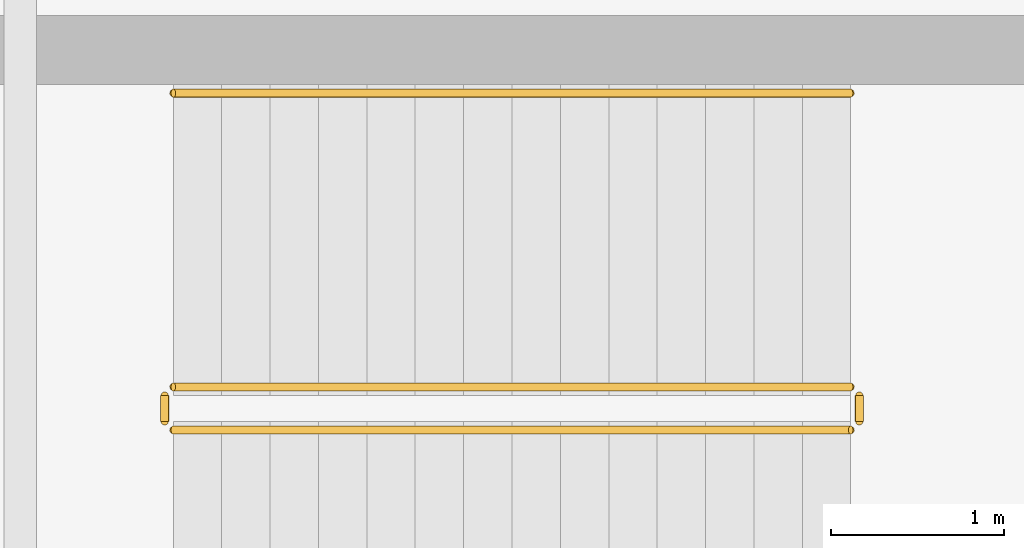
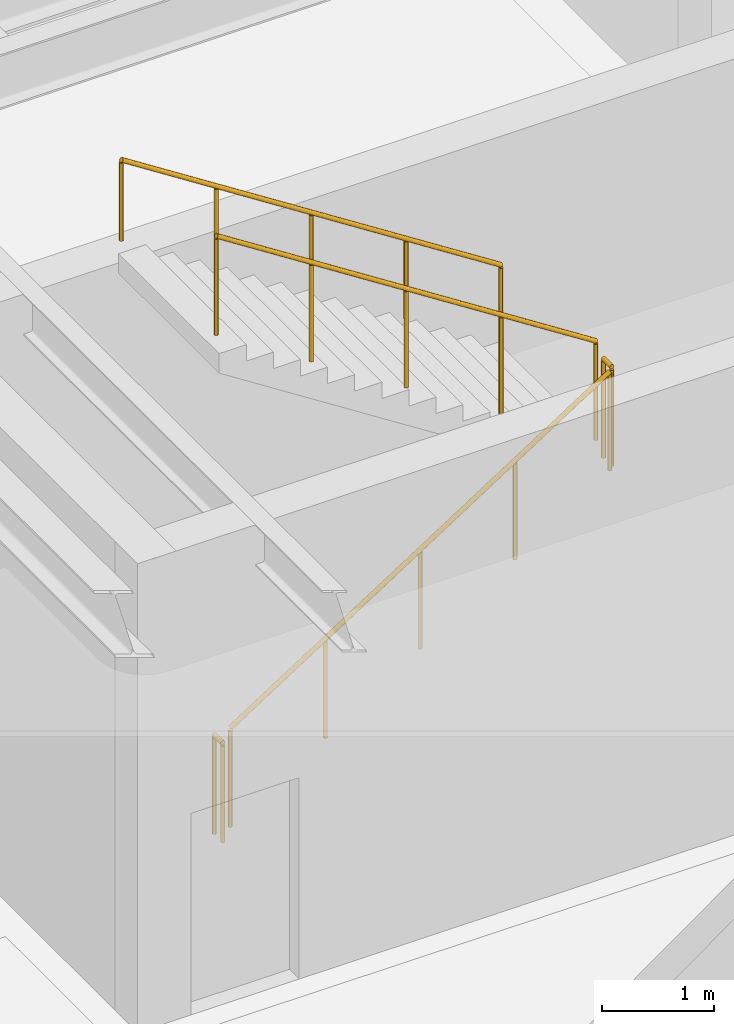
# One storey, part 52 of 67: 5 railings.
"""IFC4 building model written with IfcOpenShell, lengths in metres."""

from ifc_helpers import new_model, si_unit, direction, frame, origin, origin_2d, place, context, subcontext, project, spatial, circle, extrude, material, type_object, element, save


model = new_model("IFC4")

# Units and contexts
model_context = context("Model", 3, precision=1e-05, world=origin(), true_north=direction((0.0, 1.0)))
body_context = subcontext(model_context, "Body", "Model", "MODEL_VIEW")
ifc_project = project(units=[si_unit("LENGTHUNIT", "METRE"), si_unit("AREAUNIT", "SQUARE_METRE"), si_unit("VOLUMEUNIT", "CUBIC_METRE"), si_unit("PLANEANGLEUNIT", "RADIAN"), si_unit("MASSUNIT", "GRAM", prefix="KILO")], contexts=[model_context])

# Site, building, storey
site_placement = place(None, origin())
site = spatial("IfcSite", under=ifc_project, at=site_placement, CompositionType="ELEMENT")
building_placement = place(site_placement, origin())
building = spatial("IfcBuilding", under=site, at=building_placement, Name="Zlatogorsky Bluff Art Gallery", CompositionType="ELEMENT")
storey_placement = place(building_placement, frame((0.0, 0.0, -5.39990234375)))
storey = spatial("IfcBuildingStorey", under=building, at=storey_placement, Name="B1", CompositionType="ELEMENT", Elevation=-5.39990234375)

# Railings
ifc_material_1 = material(Name="Architectural Bronze and Laminated Glass", Category="glass")
railing_type_1 = type_object("IfcRailingType", Name="Gallery Guard Rail 1100mm", PredefinedType="GUARDRAIL", material=ifc_material_1)
railing_1_placement = place(storey_placement, frame((14.60009765625, 20.949951171875, 0.179931640625)))
element("IfcRailing", 1, at=railing_1_placement, inside=storey, type_object=railing_type_1, Name="B1 ST-09 stair guard 1", PredefinedType="GUARDRAIL", context=body_context, shape_type="SweptSolid", body=[
    extrude(circle(Radius=0.02392578125, at=origin_2d()), frame((0.0, 0.0, 1.076171875), z_axis=(0.841171666519, 0.0, 0.540768182723), x_axis=(0.0, 1.0, 0.0)), (0.0, 0.0, 1.0), 4.66015625),
    extrude(circle(Radius=0.02099609375, at=origin_2d()), origin(), (0.0, 0.0, 1.0), 1.052001953125),
    extrude(circle(Radius=0.02099609375, at=origin_2d()), frame((0.97998046875, 0.0, 0.6298828125)), (0.0, 0.0, 1.0), 1.052001953125),
    extrude(circle(Radius=0.02099609375, at=origin_2d()), frame((1.9599609375, 0.0, 1.260009765625)), (0.0, 0.0, 1.0), 1.052001953125),
    extrude(circle(Radius=0.02099609375, at=origin_2d()), frame((2.93994140625, 0.0, 1.89013671875)), (0.0, 0.0, 1.0), 1.052001953125),
    extrude(circle(Radius=0.02099609375, at=origin_2d()), frame((3.919921875, 0.0, 2.52001953125)), (0.0, 0.0, 1.0), 1.052001953125),
])
railing_2_placement = place(storey_placement, frame((18.570068359375, 21.0, 2.699951171875)))
element("IfcRailing", 2, at=railing_2_placement, inside=storey, type_object=railing_type_1, Name="B1 ST-09 stair guard 2", PredefinedType="GUARDRAIL", context=body_context, shape_type="SweptSolid", body=[
    extrude(circle(Radius=0.02392578125, at=origin_2d()), frame((0.0, 0.0, 1.076171875), z_axis=(0.0, 1.0, 0.0), x_axis=(-1.0, 0.0, 0.0)), (0.0, 0.0, 1.0), 0.14990234375),
    extrude(circle(Radius=0.02099609375, at=origin_2d()), origin(), (0.0, 0.0, 1.0), 1.052001953125),
    extrude(circle(Radius=0.02099609375, at=origin_2d()), frame((0.0, 0.14990234375, 0.0)), (0.0, 0.0, 1.0), 1.052001953125),
])
railing_3_placement = place(storey_placement, frame((18.52001953125, 21.199951171875, 2.8798828125)))
element("IfcRailing", 3, at=railing_3_placement, inside=storey, type_object=railing_type_1, Name="B1 ST-09 stair guard 3", PredefinedType="GUARDRAIL", context=body_context, shape_type="SweptSolid", body=[
    extrude(circle(Radius=0.02392578125, at=origin_2d()), frame((0.0, 0.0, 1.076171875), z_axis=(-0.841171666519, 0.0, 0.540768182723), x_axis=(0.0, -1.0, 0.0)), (0.0, 0.0, 1.0), 4.66015625),
    extrude(circle(Radius=0.02099609375, at=origin_2d()), origin(), (0.0, 0.0, 1.0), 1.052001953125),
    extrude(circle(Radius=0.02099609375, at=origin_2d()), frame((-0.97998046875, 0.0, 0.6298828125)), (0.0, 0.0, 1.0), 1.052001953125),
    extrude(circle(Radius=0.02099609375, at=origin_2d()), frame((-1.9599609375, 0.0, 1.260009765625)), (0.0, 0.0, 1.0), 1.052001953125),
    extrude(circle(Radius=0.02099609375, at=origin_2d()), frame((-2.93994140625, 0.0, 1.89013671875)), (0.0, 0.0, 1.0), 1.052001953125),
    extrude(circle(Radius=0.02099609375, at=origin_2d()), frame((-3.919921875, 0.0, 2.52001953125)), (0.0, 0.0, 1.0), 1.052001953125),
])
railing_4_placement = place(storey_placement, frame((14.550048828125, 21.0, 0.0)))
element("IfcRailing", 4, at=railing_4_placement, inside=storey, type_object=railing_type_1, Name="B1 ST-09 stair guard 4", PredefinedType="GUARDRAIL", context=body_context, shape_type="SweptSolid", body=[
    extrude(circle(Radius=0.02392578125, at=origin_2d()), frame((0.0, 0.0, 1.076171875), z_axis=(0.0, 1.0, 0.0), x_axis=(-1.0, 0.0, 0.0)), (0.0, 0.0, 1.0), 0.14990234375),
    extrude(circle(Radius=0.02099609375, at=origin_2d()), origin(), (0.0, 0.0, 1.0), 1.052001953125),
    extrude(circle(Radius=0.02099609375, at=origin_2d()), frame((0.0, 0.14990234375, 0.0)), (0.0, 0.0, 1.0), 1.052001953125),
])
ifc_material_2 = material(Name="Brushed Stainless Steel", Category="steel")
railing_type_2 = type_object("IfcRailingType", Name="Stair Pitch Handrail 900mm", PredefinedType="HANDRAIL", material=ifc_material_2)
railing_5_placement = place(storey_placement, frame((18.52001953125, 22.89990234375, 2.8798828125)))
element("IfcRailing", 5, at=railing_5_placement, inside=storey, type_object=railing_type_2, Name="B1 ST-09 stair handrail 2", PredefinedType="HANDRAIL", context=body_context, shape_type="SweptSolid", body=[
    extrude(circle(Radius=0.02392578125, at=origin_2d()), frame((0.0, 0.0, 0.8759765625), z_axis=(-0.841171666519, 0.0, 0.540768182723), x_axis=(0.0, -1.0, 0.0)), (0.0, 0.0, 1.0), 4.66015625),
    extrude(circle(Radius=0.02099609375, at=origin_2d()), origin(), (0.0, 0.0, 1.0), 0.851806640625),
    extrude(circle(Radius=0.02099609375, at=origin_2d()), frame((-0.97998046875, 0.0, 0.6298828125)), (0.0, 0.0, 1.0), 0.851806640625),
    extrude(circle(Radius=0.02099609375, at=origin_2d()), frame((-1.9599609375, 0.0, 1.260009765625)), (0.0, 0.0, 1.0), 0.851806640625),
    extrude(circle(Radius=0.02099609375, at=origin_2d()), frame((-2.93994140625, 0.0, 1.89013671875)), (0.0, 0.0, 1.0), 0.851806640625),
    extrude(circle(Radius=0.02099609375, at=origin_2d()), frame((-3.919921875, 0.0, 2.52001953125)), (0.0, 0.0, 1.0), 0.851806640625),
])

save(model, "model.ifc")
